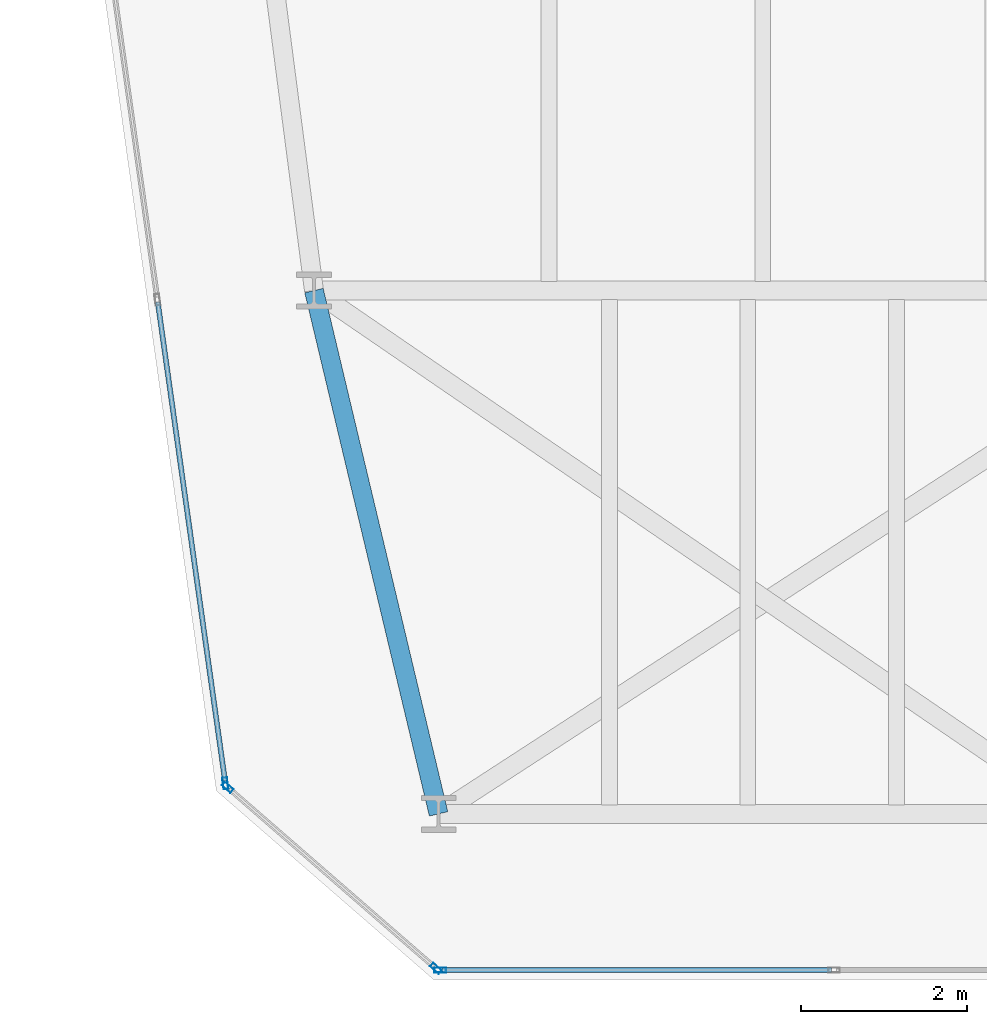
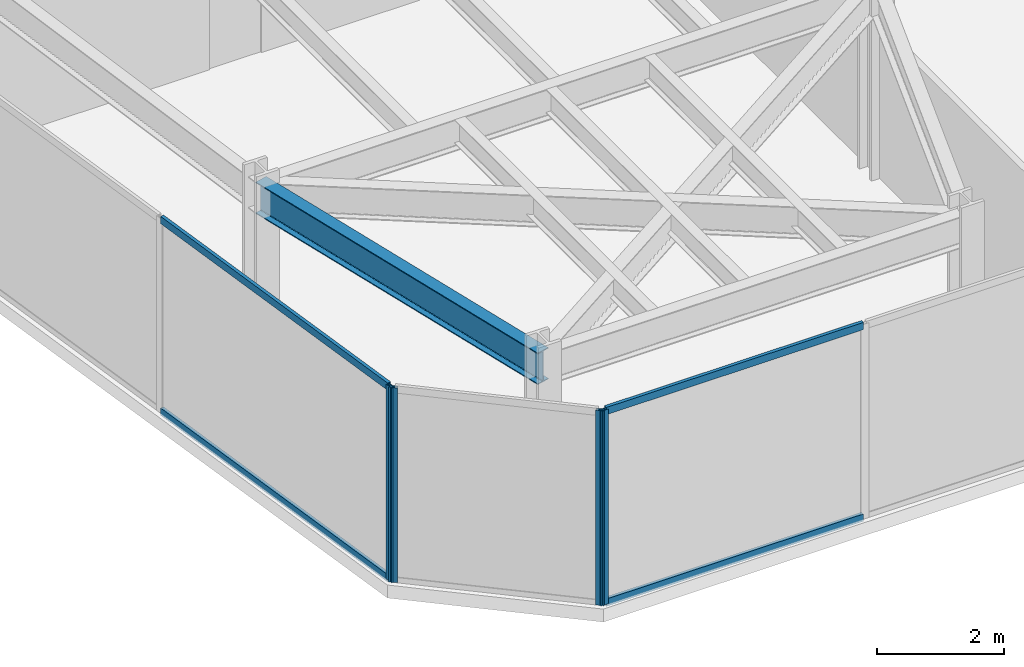
# One storey, part 2 of 26: 8 members, 1 beam, 3 elements without a shape of their own.
"""IFC4 building model written with IfcOpenShell, lengths in metres."""

from ifc_helpers import new_model, si_unit, direction, frame, origin, origin_2d, place, context, subcontext, project, spatial, hollow_rectangle, i_section, extrude, material, layer, layer_set, material_profile, profile_set, type_object, element, aggregate, save


model = new_model("IFC4")

# Units and contexts
model_context = context("Model", 3, precision=1e-05, world=origin(), true_north=direction((0.0, 1.0)))
body_context = subcontext(model_context, "Body", "Model", "MODEL_VIEW")
ifc_project = project(units=[si_unit("LENGTHUNIT", "METRE"), si_unit("AREAUNIT", "SQUARE_METRE"), si_unit("VOLUMEUNIT", "CUBIC_METRE"), si_unit("PLANEANGLEUNIT", "RADIAN"), si_unit("MASSUNIT", "GRAM", prefix="KILO")], contexts=[model_context])

# Site, building, storey
site_placement = place(None, origin())
site = spatial("IfcSite", under=ifc_project, at=site_placement, CompositionType="ELEMENT")
building_placement = place(site_placement, origin())
building = spatial("IfcBuilding", under=site, at=building_placement, Name="Kravanh Interchange Tower", CompositionType="ELEMENT")
storey_placement = place(building_placement, frame((0.0, 0.0, 148.0)))
storey = spatial("IfcBuildingStorey", under=building, at=storey_placement, Name="L35", CompositionType="ELEMENT", Elevation=148.0)

# Curtain wall, member
ifc_material_1 = material(Name="Anodised Bronze Aluminium", Category="aluminium")
ifc_layer = layer(ifc_material_1, 0.179931640625)
ifc_layer_set = layer_set([ifc_layer], Name="Unitised Curtain Wall System CW-Z2 Mid Office")
curtain_wall_type = type_object("IfcCurtainWallType", Name="Unitised Curtain Wall System CW-Z2 Mid Office", PredefinedType="NOTDEFINED", material=ifc_layer_set)
curtain_wall_1_placement = place(storey_placement, origin())
curtain_wall_1 = element("IfcCurtainWall", 1, at=curtain_wall_1_placement, inside=storey, type_object=curtain_wall_type, Name="L35 Unitised Curtain Wall CW-L35-01", PredefinedType="NOTDEFINED")
ifc_material_2 = material(Name="Anodised Bronze Aluminium", Category="aluminium")
ifc_material_profile_1 = material_profile(ifc_material_2, hollow_rectangle(XDim=0.06005859375, YDim=0.139892578125, WallThickness=0.00390625, at=origin_2d()), Name="ALU60X140X4")
ifc_profile_set_1 = profile_set([ifc_material_profile_1], Name="Anodised Bronze Aluminium")
member_type_1 = type_object("IfcMemberType", Name="Curtain Wall Mullion ALU60X140X4 Bronze", PredefinedType="MULLION", material=ifc_profile_set_1)
member_1_placement = place(storey_placement, frame((14.93310546875, 8.568359375, 0.0), z_axis=(0.0, 0.0, 1.0), x_axis=(-0.990268103846, -0.13917285118, 0.0)))
member_1 = element("IfcMember", 2, at=member_1_placement, type_object=member_type_1, Name="CW-Z2 mullion 1", PredefinedType="MULLION", context=body_context, shape_type="SweptSolid", body=[
    extrude(hollow_rectangle(XDim=0.06005859375, YDim=0.139892578125, WallThickness=0.00390625, at=origin_2d()), origin(), (0.0, 0.0, 1.0), 3.75),
])

curtain_wall_2_placement = place(storey_placement, origin())
curtain_wall_2 = element("IfcCurtainWall", 3, at=curtain_wall_2_placement, inside=storey, type_object=curtain_wall_type, Name="L35 Unitised Curtain Wall CW-L35-06", PredefinedType="NOTDEFINED")
member_2_placement = place(storey_placement, frame((17.519775390625, 6.320068359375, 0.0), z_axis=(0.0, 0.0, 1.0), x_axis=(0.0, -1.0, 0.0)))
member_2 = element("IfcMember", 4, at=member_2_placement, type_object=member_type_1, Name="CW-Z2 mullion 3", PredefinedType="MULLION", context=body_context, shape_type="SweptSolid", body=[
    extrude(hollow_rectangle(XDim=0.06005859375, YDim=0.139892578125, WallThickness=0.00390625, at=origin_2d()), origin(), (0.0, 0.0, 1.0), 3.75),
])

# Curtain wall, members
curtain_wall_3_placement = place(storey_placement, origin())
curtain_wall_3 = element("IfcCurtainWall", 5, at=curtain_wall_3_placement, inside=storey, type_object=curtain_wall_type, Name="L35 Unitised Curtain Wall CW-L35-07", PredefinedType="NOTDEFINED")
member_3_placement = place(storey_placement, frame((17.467041015625, 6.339599609375, 0.0), z_axis=(0.0, 0.0, 1.0), x_axis=(-0.656047665617, -0.754719458103, 0.0)))
member_3 = element("IfcMember", 6, at=member_3_placement, type_object=member_type_1, Name="CW-Z2 mullion 1", PredefinedType="MULLION", context=body_context, shape_type="SweptSolid", body=[
    extrude(hollow_rectangle(XDim=0.06005859375, YDim=0.139892578125, WallThickness=0.00390625, at=origin_2d()), origin(), (0.0, 0.0, 1.0), 3.75),
])
member_4_placement = place(storey_placement, frame((14.9599609375, 8.51904296875, 0.0), z_axis=(0.0, 0.0, 1.0), x_axis=(-0.656047665617, -0.754719458103, 0.0)))
member_4 = element("IfcMember", 7, at=member_4_placement, type_object=member_type_1, Name="CW-Z2 mullion 2", PredefinedType="MULLION", context=body_context, shape_type="SweptSolid", body=[
    extrude(hollow_rectangle(XDim=0.06005859375, YDim=0.139892578125, WallThickness=0.00390625, at=origin_2d()), origin(), (0.0, 0.0, 1.0), 3.75),
])
aggregate(curtain_wall_3, [member_3, member_4])

# Member
ifc_material_3 = material(Name="Anodised Bronze Aluminium", Category="aluminium")
ifc_material_profile_2 = material_profile(ifc_material_3, hollow_rectangle(XDim=0.06005859375, YDim=0.139892578125, WallThickness=0.00390625, at=origin_2d()), Name="ALU60X140X4")
ifc_profile_set_2 = profile_set([ifc_material_profile_2], Name="Anodised Bronze Aluminium")
member_type_2 = type_object("IfcMemberType", Name="Curtain Wall Transom ALU60X140X4 Bronze", PredefinedType="USERDEFINED", material=ifc_profile_set_2)
member_5_placement = place(storey_placement, frame((14.928955078125, 8.59814453125, 0.030029296875), z_axis=(-0.139148132783, 0.990271577469, 0.0), x_axis=(-0.990271577469, -0.139148132783, 0.0)))
member_5 = element("IfcMember", 8, at=member_5_placement, type_object=member_type_2, Name="CW-Z2 transom 1.1", ObjectType="TRANSOM", PredefinedType="USERDEFINED", context=body_context, shape_type="SweptSolid", body=[
    extrude(hollow_rectangle(XDim=0.06005859375, YDim=0.139892578125, WallThickness=0.00390625, at=origin_2d()), origin(), (0.0, 0.0, 1.0), 5.81982421875),
])

member_6_placement = place(storey_placement, frame((14.928955078125, 8.59814453125, 3.719970703125), z_axis=(-0.139148132783, 0.990271577469, 0.0), x_axis=(-0.990271577469, -0.139148132783, 0.0)))
member_6 = element("IfcMember", 9, at=member_6_placement, type_object=member_type_2, Name="CW-Z2 transom 1.2", ObjectType="TRANSOM", PredefinedType="USERDEFINED", context=body_context, shape_type="SweptSolid", body=[
    extrude(hollow_rectangle(XDim=0.06005859375, YDim=0.139892578125, WallThickness=0.00390625, at=origin_2d()), origin(), (0.0, 0.0, 1.0), 5.81982421875),
])

aggregate(curtain_wall_1, [member_1, member_5, member_6])

member_7_placement = place(storey_placement, frame((22.232177734375, 6.320068359375, 0.030029296875), z_axis=(-1.0, 0.0, 0.0), x_axis=(0.0, -1.0, 0.0)))
member_7 = element("IfcMember", 10, at=member_7_placement, type_object=member_type_2, Name="CW-Z2 transom 2.1", ObjectType="TRANSOM", PredefinedType="USERDEFINED", context=body_context, shape_type="SweptSolid", body=[
    extrude(hollow_rectangle(XDim=0.06005859375, YDim=0.139892578125, WallThickness=0.00390625, at=origin_2d()), origin(), (0.0, 0.0, 1.0), 4.682373046875),
])

member_8_placement = place(storey_placement, frame((22.232177734375, 6.320068359375, 3.719970703125), z_axis=(-1.0, 0.0, 0.0), x_axis=(0.0, -1.0, 0.0)))
member_8 = element("IfcMember", 11, at=member_8_placement, type_object=member_type_2, Name="CW-Z2 transom 2.2", ObjectType="TRANSOM", PredefinedType="USERDEFINED", context=body_context, shape_type="SweptSolid", body=[
    extrude(hollow_rectangle(XDim=0.06005859375, YDim=0.139892578125, WallThickness=0.00390625, at=origin_2d()), origin(), (0.0, 0.0, 1.0), 4.682373046875),
])

aggregate(curtain_wall_2, [member_2, member_7, member_8])

# Beam
ifc_material_4 = material(Name="Structural Steel S355", Category="steel")
ifc_material_profile_3 = material_profile(ifc_material_4, i_section(OverallWidth=0.22802734375, OverallDepth=0.60791015625, WebThickness=0.01123046875, FlangeThickness=0.017333984375, FilletRadius=0.02197265625, at=origin_2d()), Name="W24X76")
ifc_profile_set_3 = profile_set([ifc_material_profile_3], Name="Structural Steel S355")
beam_type = type_object("IfcBeamType", Name="Floor Spandrel W24X76 Structural Steel S355", PredefinedType="SPANDREL", material=ifc_profile_set_3)
beam_placement = place(storey_placement, frame((17.5, 8.199951171875, 3.446044921875), z_axis=(-0.231618828452, 0.972806619173, 0.0), x_axis=(-0.972806619173, -0.231618828452, 0.0)))
element("IfcBeam", 12, at=beam_placement, inside=storey, type_object=beam_type, Name="L35 Perimeter Spandrel 34", PredefinedType="SPANDREL", context=body_context, shape_type="SweptSolid", body=[
    extrude(i_section(OverallWidth=0.22802734375, OverallDepth=0.60791015625, WebThickness=0.01123046875, FlangeThickness=0.017333984375, FilletRadius=0.02197265625, at=origin_2d()), origin(), (0.0, 0.0, 1.0), 6.47607421875),
])

save(model, "model.ifc")
